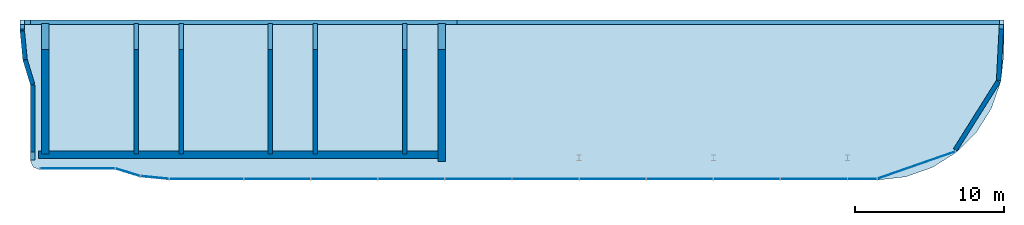
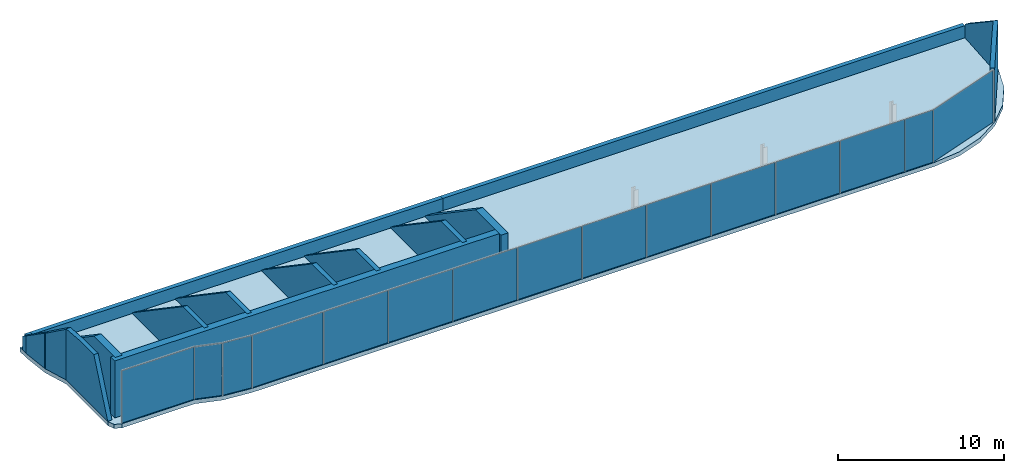
# One storey, part 5 of 5: 17 walls, 15 plates, 1 slab, 5 elements without a shape of their own.
"""IFC4 building model written with IfcOpenShell, lengths in metres."""

from ifc_helpers import new_model, si_unit, direction, frame, frame_2d, origin, origin_2d, place, context, subcontext, project, spatial, polyline, rectangle, outline, extrude, material, layer, layer_set, type_object, element, aggregate, save


model = new_model("IFC4")

# Units and contexts
model_context = context("Model", 3, precision=1e-05, world=origin(), true_north=direction((0.0, 1.0)))
body_context = subcontext(model_context, "Body", "Model", "MODEL_VIEW")
ifc_project = project(units=[si_unit("LENGTHUNIT", "METRE"), si_unit("AREAUNIT", "SQUARE_METRE"), si_unit("VOLUMEUNIT", "CUBIC_METRE"), si_unit("PLANEANGLEUNIT", "RADIAN"), si_unit("MASSUNIT", "GRAM", prefix="KILO")], contexts=[model_context])

# Site, building, storey
site_placement = place(None, origin())
site = spatial("IfcSite", under=ifc_project, at=site_placement, CompositionType="ELEMENT")
building_placement = place(site_placement, origin())
building = spatial("IfcBuilding", under=site, at=building_placement, Name="Ogive Portal Towers", CompositionType="ELEMENT")
storey_placement = place(building_placement, frame((0.0, 0.0, 289.699951171875)))
storey = spatial("IfcBuildingStorey", under=building, at=storey_placement, Name="L70", CompositionType="ELEMENT", Elevation=289.699951171875)

# Curtain wall, plate
ifc_material_1 = material(Name="Glass, clear low-iron insulated glazing", Category="glass")
curtain_wall_type = type_object("IfcCurtainWallType", Name="CW CROWN GLAZING", PredefinedType="NOTDEFINED", material=ifc_material_1)
curtain_wall_1_placement = place(storey_placement, origin())
curtain_wall_1 = element("IfcCurtainWall", 1, at=curtain_wall_1_placement, inside=storey, type_object=curtain_wall_type, Name="A:L70:c09:cw", PredefinedType="NOTDEFINED")
ifc_layer_1 = layer(ifc_material_1, 0.028076171875)
ifc_layer_set_1 = layer_set([ifc_layer_1], Name="CW PANEL IGU 28")
plate_type = type_object("IfcPlateType", Name="CW PANEL IGU 28", PredefinedType="CURTAIN_PANEL", material=ifc_layer_set_1)
plate_1_placement = place(storey_placement, frame((33.851318359375, 20.780029296875, 0.0), z_axis=(0.0, 0.0, 1.0), x_axis=(1.0, 0.0, 0.0)))
plate_1 = element("IfcPlate", 2, at=plate_1_placement, type_object=plate_type, Name="panel", PredefinedType="CURTAIN_PANEL", context=body_context, shape_type="SweptSolid", body=[
    extrude(rectangle(XDim=5.010986328125, YDim=0.028076171875, at=origin_2d()), origin(), (0.0, 0.0, 1.0), 3.840087890625),
])
aggregate(curtain_wall_1, [plate_1])

curtain_wall_2_placement = place(storey_placement, origin())
curtain_wall_2 = element("IfcCurtainWall", 3, at=curtain_wall_2_placement, inside=storey, type_object=curtain_wall_type, Name="A:L70:c10:cw", PredefinedType="NOTDEFINED")
plate_2_placement = place(storey_placement, frame((37.225830078125, 20.525390625, 0.0), z_axis=(0.0, 0.0, 1.0), x_axis=(0.956940335732, -0.290284677254, 0.0)))
plate_2 = element("IfcPlate", 4, at=plate_2_placement, type_object=plate_type, Name="panel", PredefinedType="CURTAIN_PANEL", context=body_context, shape_type="SweptSolid", body=[
    extrude(rectangle(XDim=1.693603515625, YDim=0.028076171875, at=origin_2d()), origin(), (0.0, 0.0, 1.0), 3.840087890625),
])
aggregate(curtain_wall_2, [plate_2])

curtain_wall_3_placement = place(storey_placement, origin())
curtain_wall_3 = element("IfcCurtainWall", 5, at=curtain_wall_3_placement, inside=storey, type_object=curtain_wall_type, Name="A:L70:c11:cw", PredefinedType="NOTDEFINED")
plate_3_placement = place(storey_placement, frame((39.034423828125, 20.175537109375, 0.0), z_axis=(0.0, 0.0, 1.0), x_axis=(0.995184726672, -0.09801714033, 0.0)))
plate_3 = element("IfcPlate", 6, at=plate_3_placement, type_object=plate_type, Name="panel", PredefinedType="CURTAIN_PANEL", context=body_context, shape_type="SweptSolid", body=[
    extrude(rectangle(XDim=1.888427734375, YDim=0.028076171875, at=origin_2d()), origin(), (0.0, 0.0, 1.0), 3.840087890625),
])
aggregate(curtain_wall_3, [plate_3])

# Curtain wall, plates
curtain_wall_4_placement = place(storey_placement, origin())
curtain_wall_4 = element("IfcCurtainWall", 7, at=curtain_wall_4_placement, inside=storey, type_object=curtain_wall_type, Name="A:L70:c12:cw", PredefinedType="NOTDEFINED")
plate_4_placement = place(storey_placement, frame((42.501953125, 20.080078125, 0.0), z_axis=(0.0, 0.0, 1.0), x_axis=(1.0, 0.0, 0.0)))
plate_4 = element("IfcPlate", 8, at=plate_4_placement, type_object=plate_type, Name="panel", PredefinedType="CURTAIN_PANEL", context=body_context, shape_type="SweptSolid", body=[
    extrude(rectangle(XDim=4.93603515625, YDim=0.028076171875, at=origin_2d()), origin(), (0.0, 0.0, 1.0), 3.840087890625),
])
plate_5_placement = place(storey_placement, frame((47.25, 20.080078125, 0.0), z_axis=(0.0, 0.0, 1.0), x_axis=(1.0, 0.0, 0.0)))
plate_5 = element("IfcPlate", 9, at=plate_5_placement, type_object=plate_type, Name="panel", PredefinedType="CURTAIN_PANEL", context=body_context, shape_type="SweptSolid", body=[
    extrude(rectangle(XDim=4.43994140625, YDim=0.028076171875, at=origin_2d()), origin(), (0.0, 0.0, 1.0), 3.840087890625),
])
plate_6_placement = place(storey_placement, frame((51.75, 20.080078125, 0.0), z_axis=(0.0, 0.0, 1.0), x_axis=(1.0, 0.0, 0.0)))
plate_6 = element("IfcPlate", 10, at=plate_6_placement, type_object=plate_type, Name="panel", PredefinedType="CURTAIN_PANEL", context=body_context, shape_type="SweptSolid", body=[
    extrude(rectangle(XDim=4.43994140625, YDim=0.028076171875, at=origin_2d()), origin(), (0.0, 0.0, 1.0), 3.840087890625),
])
plate_7_placement = place(storey_placement, frame((56.25, 20.080078125, 0.0), z_axis=(0.0, 0.0, 1.0), x_axis=(1.0, 0.0, 0.0)))
plate_7 = element("IfcPlate", 11, at=plate_7_placement, type_object=plate_type, Name="panel", PredefinedType="CURTAIN_PANEL", context=body_context, shape_type="SweptSolid", body=[
    extrude(rectangle(XDim=4.43994140625, YDim=0.028076171875, at=origin_2d()), origin(), (0.0, 0.0, 1.0), 3.840087890625),
])
plate_8_placement = place(storey_placement, frame((60.75, 20.080078125, 0.0), z_axis=(0.0, 0.0, 1.0), x_axis=(1.0, 0.0, 0.0)))
plate_8 = element("IfcPlate", 12, at=plate_8_placement, type_object=plate_type, Name="panel", PredefinedType="CURTAIN_PANEL", context=body_context, shape_type="SweptSolid", body=[
    extrude(rectangle(XDim=4.43994140625, YDim=0.028076171875, at=origin_2d()), origin(), (0.0, 0.0, 1.0), 3.840087890625),
])
plate_9_placement = place(storey_placement, frame((65.25, 20.080078125, 0.0), z_axis=(0.0, 0.0, 1.0), x_axis=(1.0, 0.0, 0.0)))
plate_9 = element("IfcPlate", 13, at=plate_9_placement, type_object=plate_type, Name="panel", PredefinedType="CURTAIN_PANEL", context=body_context, shape_type="SweptSolid", body=[
    extrude(rectangle(XDim=4.43994140625, YDim=0.028076171875, at=origin_2d()), origin(), (0.0, 0.0, 1.0), 3.840087890625),
])
plate_10_placement = place(storey_placement, frame((69.75, 20.080078125, 0.0), z_axis=(0.0, 0.0, 1.0), x_axis=(1.0, 0.0, 0.0)))
plate_10 = element("IfcPlate", 14, at=plate_10_placement, type_object=plate_type, Name="panel", PredefinedType="CURTAIN_PANEL", context=body_context, shape_type="SweptSolid", body=[
    extrude(rectangle(XDim=4.43994140625, YDim=0.028076171875, at=origin_2d()), origin(), (0.0, 0.0, 1.0), 3.840087890625),
])
plate_11_placement = place(storey_placement, frame((74.25, 20.080078125, 0.0), z_axis=(0.0, 0.0, 1.0), x_axis=(1.0, 0.0, 0.0)))
plate_11 = element("IfcPlate", 15, at=plate_11_placement, type_object=plate_type, Name="panel", PredefinedType="CURTAIN_PANEL", context=body_context, shape_type="SweptSolid", body=[
    extrude(rectangle(XDim=4.43994140625, YDim=0.028076171875, at=origin_2d()), origin(), (0.0, 0.0, 1.0), 3.840087890625),
])
plate_12_placement = place(storey_placement, frame((78.75, 20.080078125, 0.0), z_axis=(0.0, 0.0, 1.0), x_axis=(1.0, 0.0, 0.0)))
plate_12 = element("IfcPlate", 16, at=plate_12_placement, type_object=plate_type, Name="panel", PredefinedType="CURTAIN_PANEL", context=body_context, shape_type="SweptSolid", body=[
    extrude(rectangle(XDim=4.43994140625, YDim=0.028076171875, at=origin_2d()), origin(), (0.0, 0.0, 1.0), 3.840087890625),
])
plate_13_placement = place(storey_placement, frame((83.25, 20.080078125, 0.0), z_axis=(0.0, 0.0, 1.0), x_axis=(1.0, 0.0, 0.0)))
plate_13 = element("IfcPlate", 17, at=plate_13_placement, type_object=plate_type, Name="panel", PredefinedType="CURTAIN_PANEL", context=body_context, shape_type="SweptSolid", body=[
    extrude(rectangle(XDim=4.43994140625, YDim=0.028076171875, at=origin_2d()), origin(), (0.0, 0.0, 1.0), 3.840087890625),
])
plate_14_placement = place(storey_placement, frame((86.4931640625, 20.080078125, 0.0), z_axis=(0.0, 0.0, 1.0), x_axis=(1.0, 0.0, 0.0)))
plate_14 = element("IfcPlate", 18, at=plate_14_placement, type_object=plate_type, Name="panel", PredefinedType="CURTAIN_PANEL", context=body_context, shape_type="SweptSolid", body=[
    extrude(rectangle(XDim=1.926513671875, YDim=0.028076171875, at=origin_2d()), origin(), (0.0, 0.0, 1.0), 3.840087890625),
])
aggregate(curtain_wall_4, [plate_4, plate_5, plate_6, plate_7, plate_8, plate_9, plate_10, plate_11, plate_12, plate_13, plate_14])

# Curtain wall, plate
curtain_wall_5_placement = place(storey_placement, origin())
curtain_wall_5 = element("IfcCurtainWall", 19, at=curtain_wall_5_placement, inside=storey, type_object=curtain_wall_type, Name="A:L70:c13:cw", PredefinedType="NOTDEFINED")
plate_15_placement = place(storey_placement, frame((90.11669921875, 21.000244140625, 0.0), z_axis=(0.0, 0.0, 1.0), x_axis=(0.943883330307, 0.33027906196, 0.0)))
plate_15 = element("IfcPlate", 20, at=plate_15_placement, type_object=plate_type, Name="panel", PredefinedType="CURTAIN_PANEL", context=body_context, shape_type="SweptSolid", body=[
    extrude(rectangle(XDim=5.51318359375, YDim=0.028076171875, at=origin_2d()), origin(), (0.0, 0.0, 1.0), 3.840087890625),
])
aggregate(curtain_wall_5, [plate_15])

# Slab
ifc_material_2 = material(Name="Concrete C45/55", Category="concrete")
ifc_layer_2 = layer(ifc_material_2, 0.300048828125)
ifc_layer_set_2 = layer_set([ifc_layer_2], Name="PT ROOF SLAB 300")
slab_type = type_object("IfcSlabType", Name="PT ROOF SLAB 300", PredefinedType="ROOF", material=ifc_layer_set_2)
slab_placement = place(storey_placement, frame((0.0, 0.0, -0.300048828125)))
element("IfcSlab", 21, at=slab_placement, inside=storey, type_object=slab_type, Name="Crown deck L70", PredefinedType="ROOF", context=body_context, shape_type="SweptSolid", body=[
    extrude(outline(polyline([(95.786865234375, 26.608642578125), (96.0, 28.5), (96.0, 30.7353515625), (30.0, 30.7353515625), (30.0, 30.0), (30.192138671875, 28.049072265625), (30.699951171875, 26.375), (30.699951171875, 21.300048828125), (30.875732421875, 20.875732421875), (31.300048828125, 20.699951171875), (36.375, 20.699951171875), (38.049072265625, 20.192138671875), (40.0, 20.0), (87.5, 20.0), (89.391357421875, 20.213134765625), (91.18798828125, 20.841796875), (92.7998046875, 21.8544921875), (94.1455078125, 23.2001953125), (95.158203125, 24.81201171875), (95.786865234375, 26.608642578125)])), origin(), (0.0, 0.0, 1.0), 0.300048828125),
])

# Walls
ifc_material_3 = material(Name="Concrete C60/75", Category="concrete")
ifc_layer_3 = layer(ifc_material_3, 0.300048828125)
ifc_layer_set_3 = layer_set([ifc_layer_3], Name="CORE WALL 300 C60")
wall_type_1 = type_object("IfcWallType", Name="CORE WALL 300 C60", PredefinedType="SHEAR", material=ifc_layer_set_3)
for number, where, z_axis, x_axis, name in (
    (22, (37.800048828125, 21.75, 0.0), (0.0, 0.0, 1.0), (0.0, 1.0, 0.0), "Core wall X1 L70"),
    (23, (40.800048828125, 21.75, 0.0), (0.0, 0.0, 1.0), (0.0, 1.0, 0.0), "Core wall X2 L70"),
    (24, (46.800048828125, 21.75, 0.0), (0.0, 0.0, 1.0), (0.0, 1.0, 0.0), "Core wall X3 L70"),
    (25, (49.800048828125, 21.75, 0.0), (0.0, 0.0, 1.0), (0.0, 1.0, 0.0), "Core wall X4 L70"),
    (26, (55.800048828125, 21.75, 0.0), (0.0, 0.0, 1.0), (0.0, 1.0, 0.0), "Core wall X5 L70"),
):
    element("IfcWall", number, at=place(storey_placement, frame(where, z_axis=z_axis, x_axis=x_axis)), inside=storey, type_object=wall_type_1, Name=name, PredefinedType="SHEAR", context=body_context, shape_type="SweptSolid", body=[
        extrude(outline(polyline([(0.0, 0.0), (8.75, 0.0), (8.75, 0.010009765625), (2.588134765625, 4.199951171875), (0.0, 4.199951171875), (0.0, 0.0)])), frame((0.0, 0.14990234375, 0.0), z_axis=(0.0, -1.0, 0.0), x_axis=(1.0, 0.0, 0.0)), (0.0, 0.0, 1.0), 0.300048828125),
    ])
ifc_layer_4 = layer(ifc_material_3, 0.5)
ifc_layer_set_4 = layer_set([ifc_layer_4], Name="CORE WALL 500 C60")
wall_type_2 = type_object("IfcWallType", Name="CORE WALL 500 C60", PredefinedType="SHEAR", material=ifc_layer_set_4)
wall_1_placement = place(storey_placement, frame((31.699951171875, 21.75, 0.0), z_axis=(0.0, 0.0, 1.0), x_axis=(0.0, 1.0, 0.0)))
element("IfcWall", 27, at=wall_1_placement, inside=storey, type_object=wall_type_2, Name="Core wall W L70", PredefinedType="SHEAR", context=body_context, shape_type="SweptSolid", body=[
    extrude(outline(polyline([(0.0, 0.0), (17.5, 0.0), (8.7646484375, 0.0), (2.588134765625, 4.199951171875), (0.0, 4.199951171875), (0.0, 0.0)])), frame((0.0, 0.25, 0.0), z_axis=(0.0, -1.0, 0.0), x_axis=(1.0, 0.0, 0.0)), (0.0, 0.0, 1.0), 0.5),
])
wall_2_placement = place(storey_placement, frame((31.25, 21.699951171875, 0.0), z_axis=(0.0, 0.0, 1.0), x_axis=(1.0, 0.0, 0.0)))
element("IfcWall", 28, at=wall_2_placement, inside=storey, type_object=wall_type_2, Name="Core wall S L70", PredefinedType="SHEAR", context=body_context, shape_type="SweptSolid", body=[
    extrude(rectangle(XDim=27.0, YDim=0.5, at=frame_2d((13.5, 0.0))), origin(), (0.0, 0.0, 1.0), 4.199951171875),
])
wall_3_placement = place(storey_placement, frame((58.300048828125, 21.25, 0.0), z_axis=(0.0, 0.0, 1.0), x_axis=(0.0, 1.0, 0.0)))
element("IfcWall", 29, at=wall_3_placement, inside=storey, type_object=wall_type_2, Name="Core wall E L70", PredefinedType="SHEAR", context=body_context, shape_type="SweptSolid", body=[
    extrude(outline(polyline([(0.0, 0.0), (18.5, 0.0), (9.2646484375, 0.0), (3.088134765625, 4.199951171875), (0.0, 4.199951171875), (0.0, 0.0)])), frame((0.0, 0.25, 0.0), z_axis=(0.0, -1.0, 0.0), x_axis=(1.0, 0.0, 0.0)), (0.0, 0.0, 1.0), 0.5),
])
ifc_material_4 = material(Name="Limestone cladding on lightweight block wall", Category="masonry")
ifc_layer_5 = layer(ifc_material_4, 0.300048828125)
ifc_layer_set_5 = layer_set([ifc_layer_5], Name="CROWN KNEE WALL 300 STONE")
wall_type_3 = type_object("IfcWallType", Name="CROWN KNEE WALL 300 STONE", PredefinedType="SOLIDWALL", material=ifc_layer_set_5)
wall_4_placement = place(storey_placement, frame((95.68408203125, 30.585205078125, 0.0), z_axis=(0.0, 0.0, 1.0), x_axis=(-1.0, 0.0, 0.0)))
element("IfcWall", 30, at=wall_4_placement, inside=storey, type_object=wall_type_3, Name="A:L70:c00:wall", PredefinedType="SOLIDWALL", context=body_context, shape_type="SweptSolid", body=[
    extrude(outline(polyline([(0.0, 0.0), (36.384033203125, 0.0), (36.384033203125, 0.902099609375), (34.8681640625, 0.902099609375), (33.35205078125, 0.902099609375), (31.836181640625, 0.902099609375), (30.320068359375, 0.902099609375), (28.80419921875, 0.902099609375), (27.2880859375, 0.902099609375), (25.77197265625, 0.902099609375), (24.256103515625, 0.902099609375), (22.739990234375, 0.902099609375), (21.22412109375, 0.902099609375), (19.7080078125, 0.902099609375), (18.192138671875, 0.902099609375), (16.676025390625, 0.902099609375), (15.16015625, 0.902099609375), (13.64404296875, 0.902099609375), (12.1279296875, 0.902099609375), (10.612060546875, 0.902099609375), (9.095947265625, 0.902099609375), (7.580078125, 0.902099609375), (6.06396484375, 0.902099609375), (4.548095703125, 0.902099609375), (3.031982421875, 0.902099609375), (1.51611328125, 0.902099609375), (0.0, 0.902099609375), (0.0, 0.0)])), frame((0.0, 0.14990234375, 0.0), z_axis=(0.0, -1.0, 0.0), x_axis=(1.0, 0.0, 0.0)), (0.0, 0.0, 1.0), 0.300048828125),
])
wall_5_placement = place(storey_placement, frame((59.300048828125, 30.585205078125, 0.0), z_axis=(0.0, 0.0, 1.0), x_axis=(-1.0, 0.0, 0.0)))
element("IfcWall", 31, at=wall_5_placement, inside=storey, type_object=wall_type_3, Name="A:L70:c01:wall", PredefinedType="SOLIDWALL", context=body_context, shape_type="SweptSolid", body=[
    extrude(outline(polyline([(0.0, 0.0), (28.60009765625, 0.0), (28.60009765625, 0.902099609375), (27.0947265625, 0.902099609375), (25.58935546875, 0.902099609375), (24.084228515625, 0.902099609375), (22.578857421875, 0.902099609375), (21.07373046875, 0.902099609375), (19.568359375, 0.902099609375), (18.063232421875, 0.902099609375), (16.557861328125, 0.902099609375), (15.052734375, 0.902099609375), (13.54736328125, 0.902099609375), (12.0419921875, 0.902099609375), (10.536865234375, 0.902099609375), (9.031494140625, 0.902099609375), (7.5263671875, 0.902099609375), (6.02099609375, 0.902099609375), (4.515869140625, 0.902099609375), (3.010498046875, 0.902099609375), (1.50537109375, 0.902099609375), (0.0, 0.902099609375), (0.0, 0.0)])), frame((0.0, 0.14990234375, 0.0), z_axis=(0.0, -1.0, 0.0), x_axis=(1.0, 0.0, 0.0)), (0.0, 0.0, 1.0), 0.300048828125),
])
wall_6_placement = place(storey_placement, frame((30.699951171875, 30.585205078125, 0.0), z_axis=(0.0, 0.0, 1.0), x_axis=(-1.0, 0.0, 0.0)))
element("IfcWall", 32, at=wall_6_placement, inside=storey, type_object=wall_type_3, Name="A:L70:c02:wall", PredefinedType="SOLIDWALL", context=body_context, shape_type="SweptSolid", body=[
    extrude(outline(polyline([(0.0, 0.0), (0.39990234375, 0.0), (0.39990234375, 0.902099609375), (0.0, 0.902099609375), (0.0, 0.0)])), frame((0.0, 0.14990234375, 0.0), z_axis=(0.0, -1.0, 0.0), x_axis=(1.0, 0.0, 0.0)), (0.0, 0.0, 1.0), 0.300048828125),
])
wall_7_placement = place(storey_placement, frame((30.14990234375, 30.435302734375, 0.0), z_axis=(0.0, 0.0, 1.0), x_axis=(0.0, -1.0, 0.0)))
element("IfcWall", 33, at=wall_7_placement, inside=storey, type_object=wall_type_3, Name="A:L70:c03:wall", PredefinedType="SOLIDWALL", context=body_context, shape_type="SweptSolid", body=[
    extrude(outline(polyline([(0.0, 0.0), (0.420654296875, 0.0), (0.420654296875, 1.2900390625), (0.0, 1.004150390625), (0.0, 0.0)])), frame((0.0, 0.14990234375, 0.0), z_axis=(0.0, -1.0, 0.0), x_axis=(1.0, 0.0, 0.0)), (0.0, 0.0, 1.0), 0.300048828125),
])
wall_8_placement = place(storey_placement, frame((30.150634765625, 30.0, 0.0), z_axis=(0.0, 0.0, 1.0), x_axis=(0.098115845086, -0.99517500016, 0.0)))
element("IfcWall", 34, at=wall_8_placement, inside=storey, type_object=wall_type_3, Name="A:L70:c04:wall", PredefinedType="SOLIDWALL", context=body_context, shape_type="SweptSolid", body=[
    extrude(outline(polyline([(0.0, 0.0), (1.916015625, 0.0), (1.916015625, 2.5966796875), (0.0, 1.300048828125), (0.0, 0.0)])), frame((0.0, 0.14990234375, 0.0), z_axis=(0.0, -1.0, 0.0), x_axis=(1.0, 0.0, 0.0)), (0.0, 0.0, 1.0), 0.300048828125),
])
wall_9_placement = place(storey_placement, frame((30.34423828125, 28.064453125, 0.0), z_axis=(0.0, 0.0, 1.0), x_axis=(0.290263446515, -0.956946775749, 0.0)))
element("IfcWall", 35, at=wall_9_placement, inside=storey, type_object=wall_type_3, Name="A:L70:c05:wall", PredefinedType="SOLIDWALL", context=body_context, shape_type="SweptSolid", body=[
    extrude(outline(polyline([(0.0, 0.0), (1.719970703125, 0.0), (1.719970703125, 3.735595703125), (0.0, 2.6162109375), (0.0, 0.0)])), frame((0.0, 0.14990234375, 0.0), z_axis=(0.0, -1.0, 0.0), x_axis=(1.0, 0.0, 0.0)), (0.0, 0.0, 1.0), 0.300048828125),
])
wall_10_placement = place(storey_placement, frame((30.85009765625, 26.375, 0.0), z_axis=(0.0, 0.0, 1.0), x_axis=(0.0, -1.0, 0.0)))
element("IfcWall", 36, at=wall_10_placement, inside=storey, type_object=wall_type_3, Name="A:L70:c06:wall", PredefinedType="SOLIDWALL", context=body_context, shape_type="SweptSolid", body=[
    extrude(outline(polyline([(0.0, 0.0), (5.015380859375, 0.0), (5.01513671875, 3.900146484375), (5.01513671875, 0.0), (3.343505859375, 3.900146484375), (1.671630859375, 3.900146484375), (0.0, 3.76513671875), (0.0, 0.0)])), frame((0.0, 0.14990234375, 0.0), z_axis=(0.0, -1.0, 0.0), x_axis=(1.0, 0.0, 0.0)), (0.0, 0.0, 1.0), 0.300048828125),
])
wall_11_placement = place(storey_placement, frame((92.728515625, 22.023193359375, 0.0), z_axis=(0.0, 0.0, 1.0), x_axis=(0.532041746596, 0.846718123037, 0.0)))
element("IfcWall", 37, at=wall_11_placement, inside=storey, type_object=wall_type_3, Name="A:L70:c14:wall", PredefinedType="SOLIDWALL", context=body_context, shape_type="SweptSolid", body=[
    extrude(outline(polyline([(0.0, 0.0), (5.431640625, 0.0), (5.431640625, 3.596923828125), (3.62109375, 3.900146484375), (1.810546875, 3.900146484375), (0.0, 3.900146484375), (0.0, 0.0)])), frame((0.0, 0.14990234375, 0.0), z_axis=(0.0, -1.0, 0.0), x_axis=(1.0, 0.0, 0.0)), (0.0, 0.0, 1.0), 0.300048828125),
])
wall_12_placement = place(storey_placement, frame((95.64111328125, 26.6943359375, 0.0), z_axis=(0.0, 0.0, 1.0), x_axis=(0.051595563983, 0.998668061859, 0.0)))
element("IfcWall", 38, at=wall_12_placement, inside=storey, type_object=wall_type_3, Name="A:L70:c15:wall", PredefinedType="SOLIDWALL", context=body_context, shape_type="SweptSolid", body=[
    extrude(outline(polyline([(0.0, 0.0), (3.738037109375, 0.0), (3.73828125, 1.00927734375), (1.869140625, 2.278564453125), (0.0, 3.5478515625), (0.0, 0.0)])), frame((0.0, 0.14990234375, 0.0), z_axis=(0.0, -1.0, 0.0), x_axis=(1.0, 0.0, 0.0)), (0.0, 0.0, 1.0), 0.300048828125),
])

save(model, "model.ifc")
